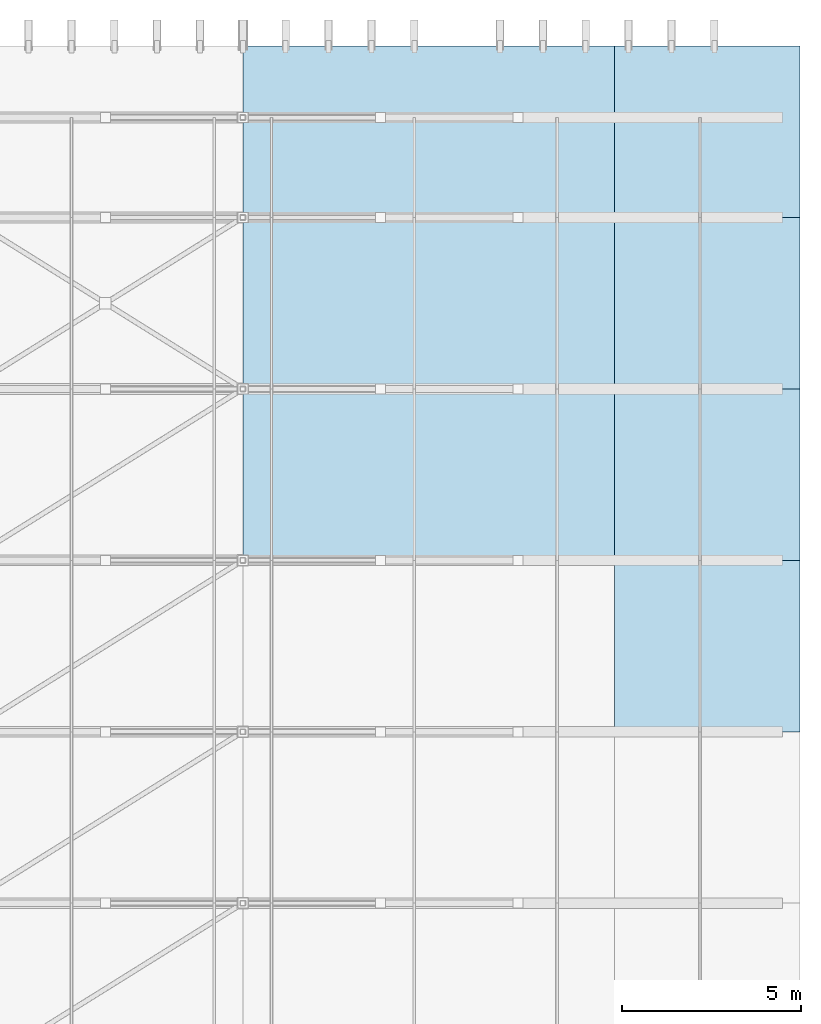
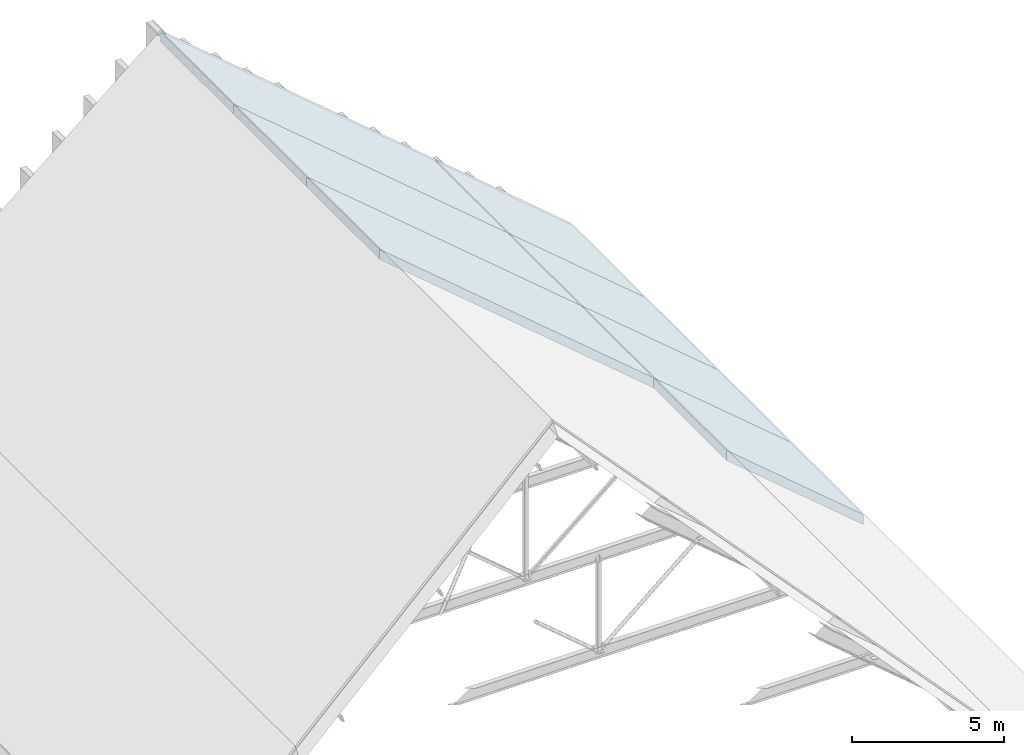
# One storey, part 42 of 60: 7 slabs, 1 element without a shape of its own.
"""IFC4 building model written with IfcOpenShell, lengths in metres."""

import ifcopenshell
import ifcopenshell.guid

model = None  # the IFC model being written
_history = None  # IfcOwnerHistory: only IFC2X3 demands one
_inside = {}  # id of a spatial element -> (the spatial element, [elements in it])
_under = {}  # id of a project, library or spatial element -> (it, [spatial elements below it])
_declared = {}  # id of a project -> (the project, [libraries it declares])
_typed = {}  # id of a type object -> (the type object, [elements of that type])
_made_of = {}  # id of a material, layer set ... -> (it, [elements and type objects made of it])


def new_model(schema):
    """Start an empty IFC model of exactly this schema.

    Asked for "IFC4X3", IfcOpenShell would pick the latest addendum, in which some entities
    have other attributes; the version numbers below select the first issue.
    IFC2X3 requires an IfcOwnerHistory on every rooted entity: one is made here for all.
    """
    global model, _history
    if schema == "IFC4X3":
        model = ifcopenshell.file(schema_version=(4, 3, 0, 0))
    else:
        model = ifcopenshell.file(schema=schema)
    _inside.clear()
    _under.clear()
    _declared.clear()
    _typed.clear()
    _made_of.clear()
    _history = None
    if model.schema == "IFC2X3":
        org = make("IfcOrganization", Name="unknown")
        user = make(
            "IfcPersonAndOrganization",
            ThePerson=make("IfcPerson", FamilyName="unknown"),
            TheOrganization=org,
        )
        app = make(
            "IfcApplication",
            ApplicationDeveloper=org,
            Version="unknown",
            ApplicationFullName="unknown",
            ApplicationIdentifier="unknown",
        )
        _history = make(
            "IfcOwnerHistory",
            OwningUser=user,
            OwningApplication=app,
            ChangeAction="ADDED",
            CreationDate=0,
        )
    return model


def make(cls, **values):
    """One entity of the class cls with the attributes given. An attribute that is None is left unset."""
    return model.create_entity(
        cls, **{name: value for name, value in values.items() if value is not None}
    )


def rooted(cls, **values):
    """An entity with a GlobalId (a new one), such as an element, a storey or a relation."""
    return make(cls, GlobalId=ifcopenshell.guid.new(), OwnerHistory=_history, **values)


def si_unit(unit_type, name, prefix=None):
    """IfcSIUnit, for example si_unit("LENGTHUNIT", "METRE", prefix="MILLI")."""
    return make("IfcSIUnit", UnitType=unit_type, Prefix=prefix, Name=name)


def assignment(units):
    """IfcUnitAssignment: the units of a project."""
    return None if units is None else make("IfcUnitAssignment", Units=units)


def point(xyz):
    """IfcCartesianPoint."""
    return None if xyz is None else make("IfcCartesianPoint", Coordinates=xyz)


def direction(xyz):
    """IfcDirection."""
    return None if xyz is None else make("IfcDirection", DirectionRatios=xyz)


def frame(location, z_axis=None, x_axis=None):
    """IfcAxis2Placement3D, a coordinate frame: its origin and axes. An axis left out is left unset."""
    return make(
        "IfcAxis2Placement3D",
        Location=point(location),
        Axis=direction(z_axis),
        RefDirection=direction(x_axis),
    )


def origin():
    """The frame at (0, 0, 0) with its axes left unset."""
    return frame((0.0, 0.0, 0.0))


def place(relative_to, where):
    """IfcLocalPlacement: puts the frame where relative to a parent placement (None: the world)."""
    return make(
        "IfcLocalPlacement", PlacementRelTo=relative_to, RelativePlacement=where
    )


def context(
    kind, dimensions, precision=None, world=None, true_north=None, identifier=None
):
    """IfcGeometricRepresentationContext, for example the 3D "Model" context."""
    return make(
        "IfcGeometricRepresentationContext",
        ContextIdentifier=identifier,
        ContextType=kind,
        CoordinateSpaceDimension=dimensions,
        Precision=precision,
        WorldCoordinateSystem=world,
        TrueNorth=true_north,
    )


def subcontext(parent, identifier, kind, view, scale=None):
    """IfcGeometricRepresentationSubContext, for example "Body" below "Model"."""
    return make(
        "IfcGeometricRepresentationSubContext",
        ContextIdentifier=identifier,
        ContextType=kind,
        ParentContext=parent,
        TargetScale=scale,
        TargetView=view,
    )


def project(units=None, contexts=None):
    """IfcProject with its units and contexts."""
    return rooted(
        "IfcProject",
        Name="project",
        RepresentationContexts=contexts,
        UnitsInContext=assignment(units),
    )


def spatial(cls, under=None, at=None, **own):
    """A site, building, storey or space (cls), placed at a placement, below another one or the project."""
    s = rooted(cls, ObjectPlacement=at, **own)
    if under is not None:
        _under.setdefault(under.id(), (under, []))[1].append(s)
    return s


def polyline(points):
    """IfcPolyline through the points."""
    return make("IfcPolyline", Points=[point(p) for p in points])


def outline(outer, holes=None, kind="AREA"):
    """IfcArbitraryClosedProfileDef: a profile drawn as a closed curve; with holes, ...WithVoids."""
    if holes is None:
        return make("IfcArbitraryClosedProfileDef", ProfileType=kind, OuterCurve=outer)
    return make(
        "IfcArbitraryProfileDefWithVoids",
        ProfileType=kind,
        OuterCurve=outer,
        InnerCurves=holes,
    )


def extrude(swept, where, along, depth):
    """IfcExtrudedAreaSolid: the profile swept, set in the frame where, extruded along a direction by depth."""
    return make(
        "IfcExtrudedAreaSolid",
        SweptArea=swept,
        Position=where,
        ExtrudedDirection=direction(along),
        Depth=depth,
    )


def shape(context_of_items, identifier, shape_type, items):
    """IfcShapeRepresentation: the items that make up one representation, for example the "Body"."""
    return make(
        "IfcShapeRepresentation",
        ContextOfItems=context_of_items,
        RepresentationIdentifier=identifier,
        RepresentationType=shape_type,
        Items=items,
    )


def material(Name=None, Category=None):
    """IfcMaterial."""
    return make("IfcMaterial", Name=Name, Category=Category)


def layer(
    of_material, thickness, ventilated=None, Name=None, Category=None, Priority=None
):
    """IfcMaterialLayer: one layer of a wall or slab, of a material (None: an air gap)."""
    return make(
        "IfcMaterialLayer",
        Material=of_material,
        LayerThickness=thickness,
        IsVentilated=ventilated,
        Name=Name,
        Category=Category,
        Priority=Priority,
    )


def layer_set(layers, Name=None):
    """IfcMaterialLayerSet."""
    return make("IfcMaterialLayerSet", MaterialLayers=layers, LayerSetName=Name)


def made_of(thing, what):
    """Note that an element or type object is made of a material, layer set ...; save() writes the relation."""
    if what is not None:
        _made_of.setdefault(what.id(), (what, []))[1].append(thing)
    return thing


def type_object(cls, material=None, **own):
    """A type object (cls), such as IfcWallType, which elements share."""
    return made_of(rooted(cls, **own), material)


def element(
    cls,
    number,
    at=None,
    inside=None,
    cuts=None,
    type_object=None,
    material=None,
    context=None,
    identifier="Body",
    shape_type=None,
    held_by="IfcProductDefinitionShape",
    body=None,
    shapes=None,
    **own,
):
    """One element of the class cls, such as IfcWall. Its Tag is "e" and its number.

    at: its placement. inside: the storey or other place that contains it. cuts: it is an
    opening in that element (IfcRelVoidsElement). A single representation is given by context,
    identifier, shape_type and body (its items); several are given by shapes. held_by: the class
    of the entity that holds the representations. save() writes the other relations.
    """
    e = rooted(cls, Tag="e%d" % number, ObjectPlacement=at, **own)
    if body is not None:
        shapes = [shape(context, identifier, shape_type, body)]
    if shapes is not None:
        e.Representation = make(held_by, Representations=shapes)
    if inside is not None:
        _inside.setdefault(inside.id(), (inside, []))[1].append(e)
    if cuts is not None:
        rooted(
            "IfcRelVoidsElement", RelatingBuildingElement=cuts, RelatedOpeningElement=e
        )
    if type_object is not None:
        _typed.setdefault(type_object.id(), (type_object, []))[1].append(e)
    return made_of(e, material)


def aggregate(whole, parts):
    """IfcRelAggregates: a whole, such as a stair, and the parts it consists of."""
    return rooted("IfcRelAggregates", RelatingObject=whole, RelatedObjects=parts)


def save(model, path):
    """Write the relations noted so far, then the file.

    IfcRelAggregates (storeys below a building ...), IfcRelContainedInSpatialStructure (elements
    in a storey), IfcRelDefinesByType, IfcRelAssociatesMaterial and IfcRelDeclares: one each for
    every whole, place, type object, material and project.
    """
    for whole, parts in _under.values():
        aggregate(whole, parts)
    for where, things in _inside.values():
        rooted(
            "IfcRelContainedInSpatialStructure",
            RelatedElements=things,
            RelatingStructure=where,
        )
    for kind, things in _typed.values():
        rooted("IfcRelDefinesByType", RelatedObjects=things, RelatingType=kind)
    for what, things in _made_of.values():
        rooted("IfcRelAssociatesMaterial", RelatedObjects=things, RelatingMaterial=what)
    for by, libraries in _declared.values():
        rooted("IfcRelDeclares", RelatingContext=by, RelatedDefinitions=libraries)
    model.write(path)


model = new_model("IFC4")

# Units and contexts
model_context = context("Model", 3, precision=1e-05, world=origin(), true_north=direction((0.0, 1.0)))
body_context = subcontext(model_context, "Body", "Model", "MODEL_VIEW")
ifc_project = project(units=[si_unit("LENGTHUNIT", "METRE"), si_unit("AREAUNIT", "SQUARE_METRE"), si_unit("VOLUMEUNIT", "CUBIC_METRE"), si_unit("PLANEANGLEUNIT", "RADIAN"), si_unit("MASSUNIT", "GRAM", prefix="KILO")], contexts=[model_context])

# Site, building, storey
site_placement = place(None, origin())
site = spatial("IfcSite", under=ifc_project, at=site_placement, CompositionType="ELEMENT")
building_placement = place(site_placement, origin())
building = spatial("IfcBuilding", under=site, at=building_placement, Name="Nakhvara Creek Congress Hotel", CompositionType="ELEMENT")
storey_placement = place(building_placement, frame((0.0, 0.0, 54.60009765625)))
storey = spatial("IfcBuildingStorey", under=building, at=storey_placement, Name="RL1", CompositionType="ELEMENT", Elevation=54.60009765625)

# Roof, slabs
ifc_material = material(Name="Concrete C40/50", Category="concrete")
ifc_layer_1 = layer(ifc_material, 0.31005859375)
ifc_layer_set_1 = layer_set([ifc_layer_1], Name="Concrete C40/50")
roof_type = type_object("IfcRoofType", Name="ROOF-HTL-GABLE", PredefinedType="GABLE_ROOF", material=ifc_layer_set_1)
roof_placement = place(storey_placement, origin())
roof = element("IfcRoof", 1, at=roof_placement, inside=storey, type_object=roof_type, Name="Hotel Wing Steep Triangular Gothic Gable Roof", PredefinedType="GABLE_ROOF")
ifc_layer_2 = layer(ifc_material, 0.31005859375)
ifc_layer_set_2 = layer_set([ifc_layer_2], Name="Concrete C40/50")
slab_type = type_object("IfcSlabType", Name="SL-ROOF-310", PredefinedType="ROOF", material=ifc_layer_set_2)
slab_1_placement = place(storey_placement, frame((174.800048828125, 106.800048828125, 0.199951171875), z_axis=(0.0, 0.0, 1.0), x_axis=(1.0, 0.0, 0.0)))
slab_1 = element("IfcSlab", 2, at=slab_1_placement, type_object=slab_type, Name="Hotel Gothic Gable East Lower Eave Slope Bay 8", PredefinedType="ROOF", context=body_context, shape_type="SweptSolid", body=[
    extrude(outline(polyline([(0.0, 0.0), (5.199951171875, -4.400146484375), (5.199951171875, -4.80615234375), (0.0, -0.406005859375), (0.0, 0.0)])), frame((0.0, 4.800048828125, 0.0), z_axis=(0.0, -1.0, 0.0), x_axis=(1.0, 0.0, 0.0)), (0.0, 0.0, 1.0), 4.800048828125),
])
slab_2_placement = place(storey_placement, frame((174.800048828125, 111.60009765625, 0.199951171875), z_axis=(0.0, 0.0, 1.0), x_axis=(1.0, 0.0, 0.0)))
slab_2 = element("IfcSlab", 3, at=slab_2_placement, type_object=slab_type, Name="Hotel Gothic Gable East Lower Eave Slope Bay 9", PredefinedType="ROOF", context=body_context, shape_type="SweptSolid", body=[
    extrude(outline(polyline([(0.0, 0.0), (5.199951171875, -4.400146484375), (5.199951171875, -4.80615234375), (0.0, -0.406005859375), (0.0, 0.0)])), frame((0.0, 4.7998046875, 0.0), z_axis=(0.0, -1.0, 0.0), x_axis=(1.0, 0.0, 0.0)), (0.0, 0.0, 1.0), 4.7998046875),
])
slab_3_placement = place(storey_placement, frame((164.39990234375, 111.60009765625, 9.0), z_axis=(0.0, 0.0, 1.0), x_axis=(1.0, 0.0, 0.0)))
slab_3 = element("IfcSlab", 4, at=slab_3_placement, type_object=slab_type, Name="Hotel Gothic Gable East Crown Roof Slope Bay 9", PredefinedType="ROOF", context=body_context, shape_type="SweptSolid", body=[
    extrude(outline(polyline([(0.0, 0.0), (10.400146484375, -8.800048828125), (10.400146484375, -9.2060546875), (0.0, -0.406005859375), (0.0, 0.0)])), frame((0.0, 4.7998046875, 0.0), z_axis=(0.0, -1.0, 0.0), x_axis=(1.0, 0.0, 0.0)), (0.0, 0.0, 1.0), 4.7998046875),
])
slab_4_placement = place(storey_placement, frame((174.800048828125, 116.39990234375, 0.199951171875), z_axis=(0.0, 0.0, 1.0), x_axis=(1.0, 0.0, 0.0)))
slab_4 = element("IfcSlab", 5, at=slab_4_placement, type_object=slab_type, Name="Hotel Gothic Gable East Lower Eave Slope Bay 10", PredefinedType="ROOF", context=body_context, shape_type="SweptSolid", body=[
    extrude(outline(polyline([(0.0, 0.0), (5.199951171875, -4.400146484375), (5.199951171875, -4.80615234375), (0.0, -0.406005859375), (0.0, 0.0)])), frame((0.0, 4.800048828125, 0.0), z_axis=(0.0, -1.0, 0.0), x_axis=(1.0, 0.0, 0.0)), (0.0, 0.0, 1.0), 4.800048828125),
])
slab_5_placement = place(storey_placement, frame((164.39990234375, 116.39990234375, 9.0), z_axis=(0.0, 0.0, 1.0), x_axis=(1.0, 0.0, 0.0)))
slab_5 = element("IfcSlab", 6, at=slab_5_placement, type_object=slab_type, Name="Hotel Gothic Gable East Crown Roof Slope Bay 10", PredefinedType="ROOF", context=body_context, shape_type="SweptSolid", body=[
    extrude(outline(polyline([(0.0, 0.0), (10.400146484375, -8.800048828125), (10.400146484375, -9.2060546875), (0.0, -0.406005859375), (0.0, 0.0)])), frame((0.0, 4.800048828125, 0.0), z_axis=(0.0, -1.0, 0.0), x_axis=(1.0, 0.0, 0.0)), (0.0, 0.0, 1.0), 4.800048828125),
])
slab_6_placement = place(storey_placement, frame((174.800048828125, 121.199951171875, 0.199951171875), z_axis=(0.0, 0.0, 1.0), x_axis=(1.0, 0.0, 0.0)))
slab_6 = element("IfcSlab", 7, at=slab_6_placement, type_object=slab_type, Name="Hotel Gothic Gable East Lower Eave Slope Bay 11", PredefinedType="ROOF", context=body_context, shape_type="SweptSolid", body=[
    extrude(outline(polyline([(0.0, 0.0), (5.199951171875, -4.400146484375), (5.199951171875, -4.80615234375), (0.0, -0.406005859375), (0.0, 0.0)])), frame((0.0, 4.800048828125, 0.0), z_axis=(0.0, -1.0, 0.0), x_axis=(1.0, 0.0, 0.0)), (0.0, 0.0, 1.0), 4.800048828125),
])
slab_7_placement = place(storey_placement, frame((164.39990234375, 121.199951171875, 9.0), z_axis=(0.0, 0.0, 1.0), x_axis=(1.0, 0.0, 0.0)))
slab_7 = element("IfcSlab", 8, at=slab_7_placement, type_object=slab_type, Name="Hotel Gothic Gable East Crown Roof Slope Bay 11", PredefinedType="ROOF", context=body_context, shape_type="SweptSolid", body=[
    extrude(outline(polyline([(0.0, 0.0), (10.400146484375, -8.800048828125), (10.400146484375, -9.2060546875), (0.0, -0.406005859375), (0.0, 0.0)])), frame((0.0, 4.800048828125, 0.0), z_axis=(0.0, -1.0, 0.0), x_axis=(1.0, 0.0, 0.0)), (0.0, 0.0, 1.0), 4.800048828125),
])
aggregate(roof, [slab_1, slab_2, slab_3, slab_4, slab_5, slab_6, slab_7])

save(model, "model.ifc")
